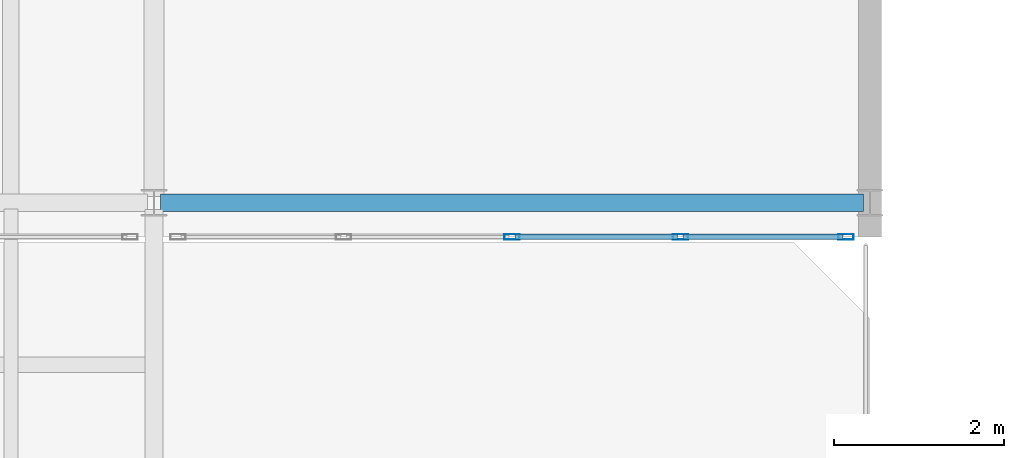
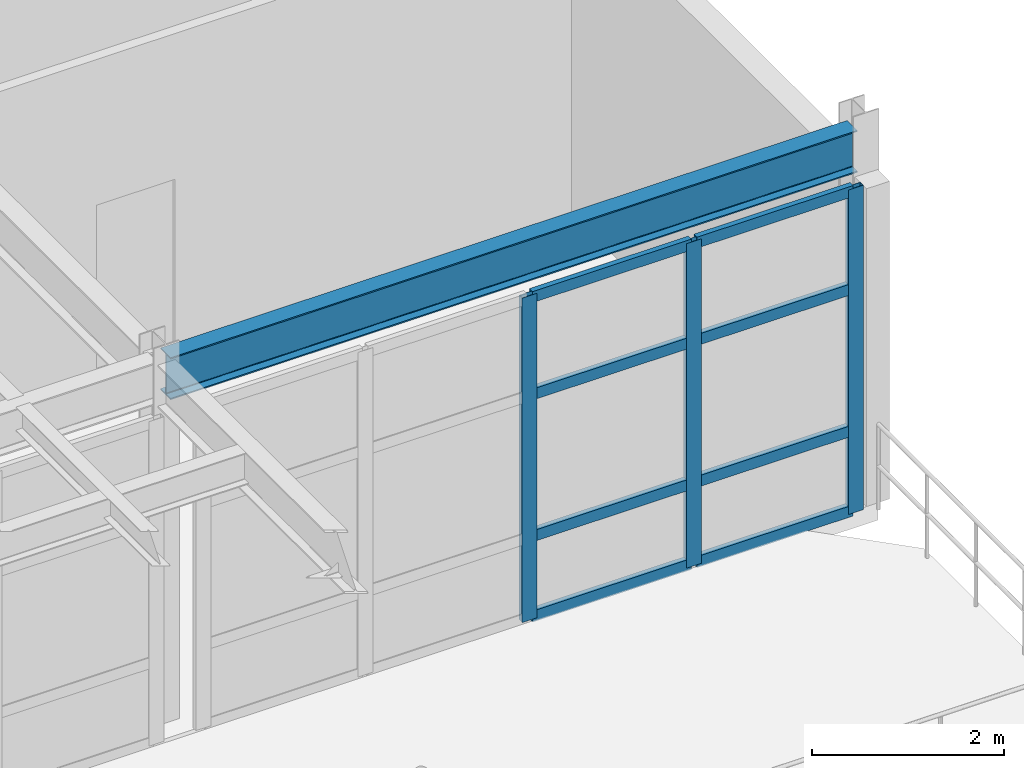
# One storey, part 47 of 105: 11 members, 1 beam, 1 element without a shape of its own.
"""IFC4 building model written with IfcOpenShell, lengths in metres."""

from ifc_helpers import new_model, si_unit, direction, frame, origin, origin_2d, place, context, subcontext, project, spatial, hollow_rectangle, i_section, extrude, material, layer, layer_set, material_profile, profile_set, type_object, element, aggregate, save


model = new_model("IFC4")

# Units and contexts
model_context = context("Model", 3, precision=1e-05, world=origin(), true_north=direction((0.0, 1.0)))
body_context = subcontext(model_context, "Body", "Model", "MODEL_VIEW")
ifc_project = project(units=[si_unit("LENGTHUNIT", "METRE"), si_unit("AREAUNIT", "SQUARE_METRE"), si_unit("VOLUMEUNIT", "CUBIC_METRE"), si_unit("PLANEANGLEUNIT", "RADIAN"), si_unit("MASSUNIT", "GRAM", prefix="KILO")], contexts=[model_context])

# Site, building, storey
site_placement = place(None, origin())
site = spatial("IfcSite", under=ifc_project, at=site_placement, CompositionType="ELEMENT")
building_placement = place(site_placement, origin())
building = spatial("IfcBuilding", under=site, at=building_placement, Name="Selat Folded Stagehouse", CompositionType="ELEMENT")
storey_placement = place(building_placement, frame((0.0, 0.0, 10.199951171875)))
storey = spatial("IfcBuildingStorey", under=building, at=storey_placement, Name="L02", CompositionType="ELEMENT", Elevation=10.199951171875)

# Beam
ifc_material_1 = material(Name="Steel S355", Category="steel")
ifc_material_profile_1 = material_profile(ifc_material_1, i_section(OverallWidth=0.209228515625, OverallDepth=0.533203125, WebThickness=0.010009765625, FlangeThickness=0.015625, FilletRadius=0.0126953125, at=origin_2d()), Name="UKB 533x210x92")
ifc_profile_set_1 = profile_set([ifc_material_profile_1], Name="Steel S355")
beam_type = type_object("IfcBeamType", Name="BM-GIRD-533x210x92", PredefinedType="BEAM", material=ifc_profile_set_1)
beam_placement = place(storey_placement, frame((109.277099609375, 5.800048828125, 4.308349609375), z_axis=(1.0, 0.0, 0.0), x_axis=(0.0, 1.0, 0.0)))
element("IfcBeam", 1, at=beam_placement, inside=storey, type_object=beam_type, Name="L02 primary x-girder 0998", PredefinedType="BEAM", context=body_context, shape_type="SweptSolid", body=[
    extrude(i_section(OverallWidth=0.209228515625, OverallDepth=0.533203125, WebThickness=0.010009765625, FlangeThickness=0.015625, FilletRadius=0.0126953125, at=origin_2d()), origin(), (0.0, 0.0, 1.0), 8.245849609375),
])

# Curtain wall, members
ifc_material_2 = material(Name="Aluminium 6063-T6", Category="aluminium")
ifc_layer = layer(ifc_material_2, 0.2099609375)
ifc_layer_set = layer_set([ifc_layer], Name="Aluminium 6063-T6")
curtain_wall_type = type_object("IfcCurtainWallType", Name="CW-FYR-SOUTH", PredefinedType="NOTDEFINED", material=ifc_layer_set)
curtain_wall_placement = place(storey_placement, origin())
curtain_wall = element("IfcCurtainWall", 2, at=curtain_wall_placement, inside=storey, type_object=curtain_wall_type, Name="L02 curtain wall CW-FYR-L02-06", PredefinedType="NOTDEFINED")
ifc_material_profile_2 = material_profile(ifc_material_2, hollow_rectangle(XDim=0.06494140625, YDim=0.179931640625, WallThickness=0.00390625, at=origin_2d()), Name="ALU 180x65x4.0")
ifc_profile_set_2 = profile_set([ifc_material_profile_2], Name="Aluminium 6063-T6")
member_type_1 = type_object("IfcMemberType", Name="CWM-MUL-180x65", PredefinedType="MULLION", material=ifc_profile_set_2)
member_1_placement = place(storey_placement, frame((117.3173828125, 5.39990234375, 0.0), z_axis=(0.0, 0.0, 1.0), x_axis=(0.0, -1.0, 0.0)))
member_1 = element("IfcMember", 3, at=member_1_placement, type_object=member_type_1, Name="CW-04 mullion 1", PredefinedType="MULLION", context=body_context, shape_type="SweptSolid", body=[
    extrude(hollow_rectangle(XDim=0.06494140625, YDim=0.179931640625, WallThickness=0.00390625, at=origin_2d()), origin(), (0.0, 0.0, 1.0), 4.1201171875),
])
member_2_placement = place(storey_placement, frame((115.375, 5.39990234375, 0.0), z_axis=(0.0, 0.0, 1.0), x_axis=(0.0, -1.0, 0.0)))
member_2 = element("IfcMember", 4, at=member_2_placement, type_object=member_type_1, Name="CW-04 mullion 2", PredefinedType="MULLION", context=body_context, shape_type="SweptSolid", body=[
    extrude(hollow_rectangle(XDim=0.06494140625, YDim=0.179931640625, WallThickness=0.00390625, at=origin_2d()), origin(), (0.0, 0.0, 1.0), 4.1201171875),
])
member_3_placement = place(storey_placement, frame((113.39990234375, 5.39990234375, 0.0), z_axis=(0.0, 0.0, 1.0), x_axis=(0.0, -1.0, 0.0)))
member_3 = element("IfcMember", 5, at=member_3_placement, type_object=member_type_1, Name="CW-04 mullion 3", PredefinedType="MULLION", context=body_context, shape_type="SweptSolid", body=[
    extrude(hollow_rectangle(XDim=0.06494140625, YDim=0.179931640625, WallThickness=0.00390625, at=origin_2d()), origin(), (0.0, 0.0, 1.0), 4.1201171875),
])
ifc_material_profile_3 = material_profile(ifc_material_2, hollow_rectangle(XDim=0.06494140625, YDim=0.139892578125, WallThickness=0.00390625, at=origin_2d()), Name="ALU 140x65x4.0")
ifc_profile_set_3 = profile_set([ifc_material_profile_3], Name="Aluminium 6063-T6")
member_type_2 = type_object("IfcMemberType", Name="CWM-TRN-140x65", PredefinedType="USERDEFINED", material=ifc_profile_set_3)
member_4_placement = place(storey_placement, frame((117.284912109375, 5.39990234375, 0.032470703125), z_axis=(-1.0, 0.0, 0.0), x_axis=(0.0, -1.0, 0.0)))
member_4 = element("IfcMember", 6, at=member_4_placement, type_object=member_type_2, Name="CW-04 transom 1.1", ObjectType="TRANSOM", PredefinedType="USERDEFINED", context=body_context, shape_type="SweptSolid", body=[
    extrude(hollow_rectangle(XDim=0.06494140625, YDim=0.139892578125, WallThickness=0.00390625, at=origin_2d()), origin(), (0.0, 0.0, 1.0), 1.87744140625),
])
member_5_placement = place(storey_placement, frame((117.284912109375, 5.39990234375, 1.050048828125), z_axis=(-1.0, 0.0, 0.0), x_axis=(0.0, -1.0, 0.0)))
member_5 = element("IfcMember", 7, at=member_5_placement, type_object=member_type_2, Name="CW-04 transom 1.2", ObjectType="TRANSOM", PredefinedType="USERDEFINED", context=body_context, shape_type="SweptSolid", body=[
    extrude(hollow_rectangle(XDim=0.06494140625, YDim=0.139892578125, WallThickness=0.00390625, at=origin_2d()), origin(), (0.0, 0.0, 1.0), 1.87744140625),
])
member_6_placement = place(storey_placement, frame((117.284912109375, 5.39990234375, 2.85009765625), z_axis=(-1.0, 0.0, 0.0), x_axis=(0.0, -1.0, 0.0)))
member_6 = element("IfcMember", 8, at=member_6_placement, type_object=member_type_2, Name="CW-04 transom 1.3", ObjectType="TRANSOM", PredefinedType="USERDEFINED", context=body_context, shape_type="SweptSolid", body=[
    extrude(hollow_rectangle(XDim=0.06494140625, YDim=0.139892578125, WallThickness=0.00390625, at=origin_2d()), origin(), (0.0, 0.0, 1.0), 1.87744140625),
])
member_7_placement = place(storey_placement, frame((117.284912109375, 5.39990234375, 4.087646484375), z_axis=(-1.0, 0.0, 0.0), x_axis=(0.0, -1.0, 0.0)))
member_7 = element("IfcMember", 9, at=member_7_placement, type_object=member_type_2, Name="CW-04 transom 1.4", ObjectType="TRANSOM", PredefinedType="USERDEFINED", context=body_context, shape_type="SweptSolid", body=[
    extrude(hollow_rectangle(XDim=0.06494140625, YDim=0.139892578125, WallThickness=0.00390625, at=origin_2d()), origin(), (0.0, 0.0, 1.0), 1.87744140625),
])
member_8_placement = place(storey_placement, frame((115.342529296875, 5.39990234375, 0.032470703125), z_axis=(-1.0, 0.0, 0.0), x_axis=(0.0, -1.0, 0.0)))
member_8 = element("IfcMember", 10, at=member_8_placement, type_object=member_type_2, Name="CW-04 transom 2.1", ObjectType="TRANSOM", PredefinedType="USERDEFINED", context=body_context, shape_type="SweptSolid", body=[
    extrude(hollow_rectangle(XDim=0.06494140625, YDim=0.139892578125, WallThickness=0.00390625, at=origin_2d()), origin(), (0.0, 0.0, 1.0), 1.909912109375),
])
member_9_placement = place(storey_placement, frame((115.342529296875, 5.39990234375, 1.050048828125), z_axis=(-1.0, 0.0, 0.0), x_axis=(0.0, -1.0, 0.0)))
member_9 = element("IfcMember", 11, at=member_9_placement, type_object=member_type_2, Name="CW-04 transom 2.2", ObjectType="TRANSOM", PredefinedType="USERDEFINED", context=body_context, shape_type="SweptSolid", body=[
    extrude(hollow_rectangle(XDim=0.06494140625, YDim=0.139892578125, WallThickness=0.00390625, at=origin_2d()), origin(), (0.0, 0.0, 1.0), 1.909912109375),
])
member_10_placement = place(storey_placement, frame((115.342529296875, 5.39990234375, 2.85009765625), z_axis=(-1.0, 0.0, 0.0), x_axis=(0.0, -1.0, 0.0)))
member_10 = element("IfcMember", 12, at=member_10_placement, type_object=member_type_2, Name="CW-04 transom 2.3", ObjectType="TRANSOM", PredefinedType="USERDEFINED", context=body_context, shape_type="SweptSolid", body=[
    extrude(hollow_rectangle(XDim=0.06494140625, YDim=0.139892578125, WallThickness=0.00390625, at=origin_2d()), origin(), (0.0, 0.0, 1.0), 1.909912109375),
])
member_11_placement = place(storey_placement, frame((115.342529296875, 5.39990234375, 4.087646484375), z_axis=(-1.0, 0.0, 0.0), x_axis=(0.0, -1.0, 0.0)))
member_11 = element("IfcMember", 13, at=member_11_placement, type_object=member_type_2, Name="CW-04 transom 2.4", ObjectType="TRANSOM", PredefinedType="USERDEFINED", context=body_context, shape_type="SweptSolid", body=[
    extrude(hollow_rectangle(XDim=0.06494140625, YDim=0.139892578125, WallThickness=0.00390625, at=origin_2d()), origin(), (0.0, 0.0, 1.0), 1.909912109375),
])
aggregate(curtain_wall, [member_1, member_2, member_3, member_4, member_5, member_6, member_7, member_8, member_9, member_10, member_11])

save(model, "model.ifc")
